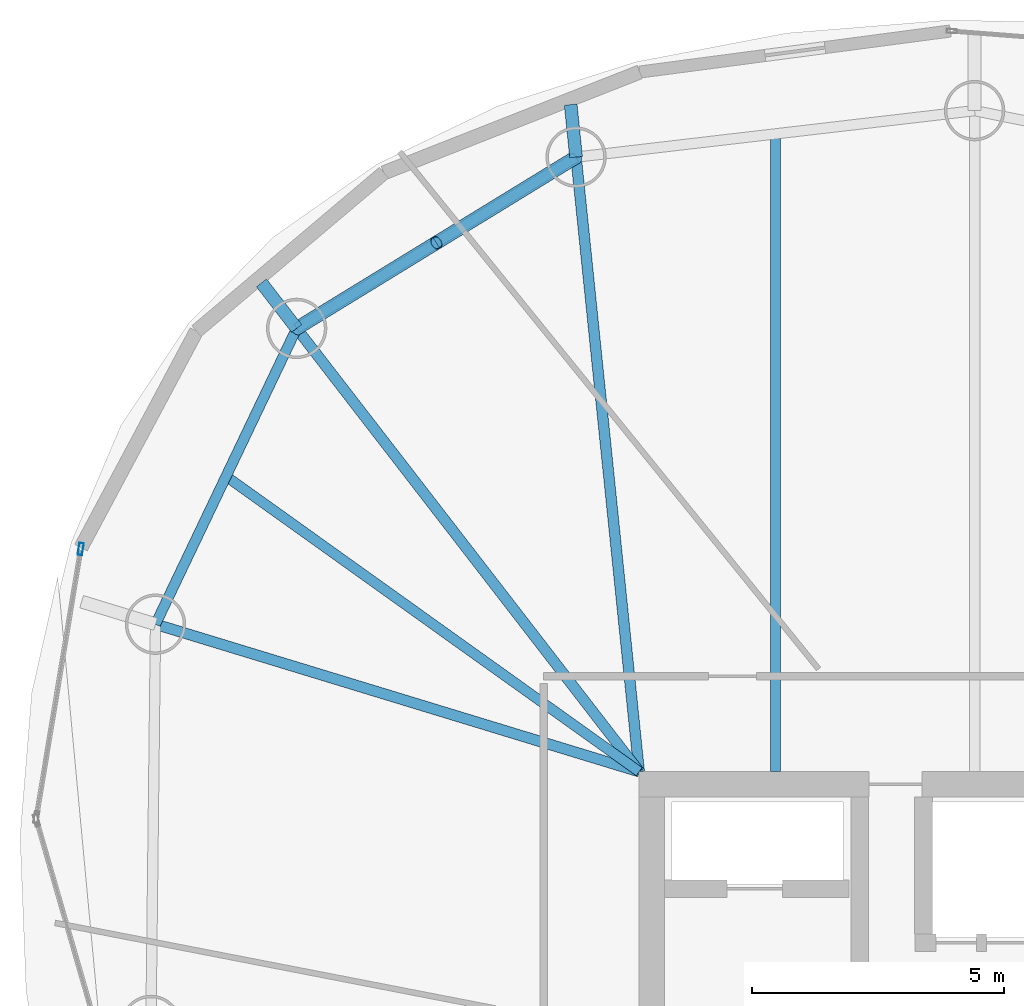
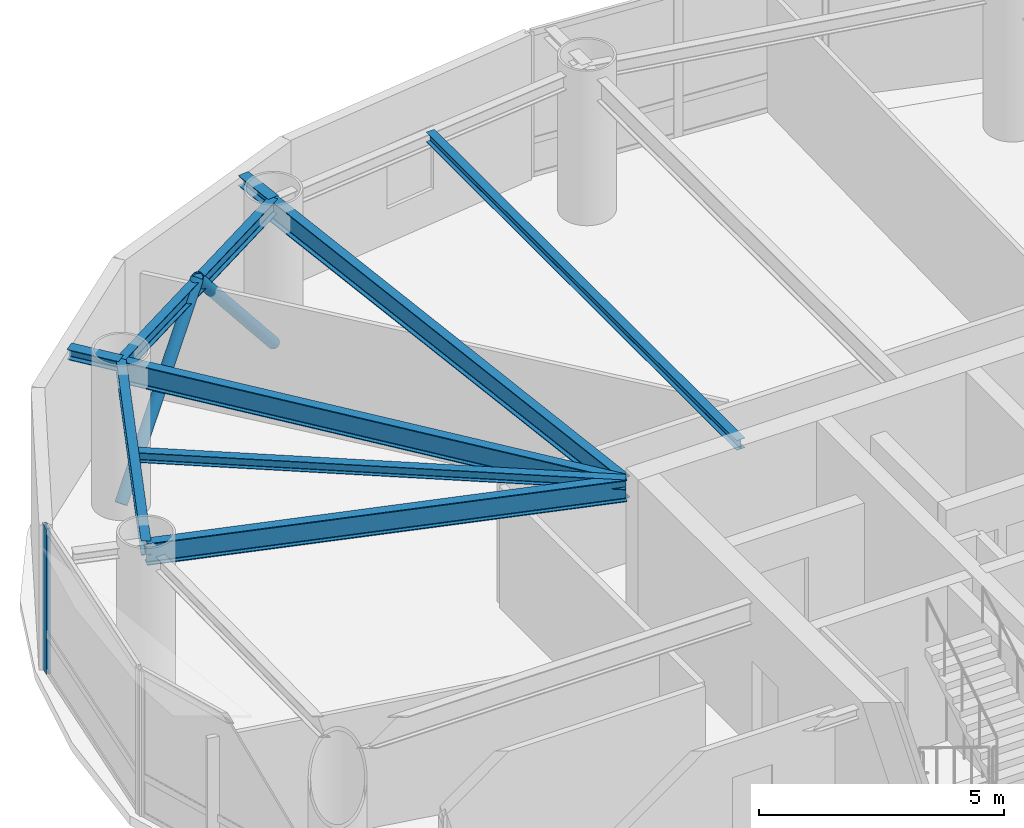
# One storey, part 11 of 21: 9 beams, 3 members, 1 element without a shape of its own.
"""IFC4 building model written with IfcOpenShell, lengths in metres."""

import ifcopenshell
import ifcopenshell.guid

model = None  # the IFC model being written
_history = None  # IfcOwnerHistory: only IFC2X3 demands one
_inside = {}  # id of a spatial element -> (the spatial element, [elements in it])
_under = {}  # id of a project, library or spatial element -> (it, [spatial elements below it])
_declared = {}  # id of a project -> (the project, [libraries it declares])
_typed = {}  # id of a type object -> (the type object, [elements of that type])
_made_of = {}  # id of a material, layer set ... -> (it, [elements and type objects made of it])


def new_model(schema):
    """Start an empty IFC model of exactly this schema.

    Asked for "IFC4X3", IfcOpenShell would pick the latest addendum, in which some entities
    have other attributes; the version numbers below select the first issue.
    IFC2X3 requires an IfcOwnerHistory on every rooted entity: one is made here for all.
    """
    global model, _history
    if schema == "IFC4X3":
        model = ifcopenshell.file(schema_version=(4, 3, 0, 0))
    else:
        model = ifcopenshell.file(schema=schema)
    _inside.clear()
    _under.clear()
    _declared.clear()
    _typed.clear()
    _made_of.clear()
    _history = None
    if model.schema == "IFC2X3":
        org = make("IfcOrganization", Name="unknown")
        user = make(
            "IfcPersonAndOrganization",
            ThePerson=make("IfcPerson", FamilyName="unknown"),
            TheOrganization=org,
        )
        app = make(
            "IfcApplication",
            ApplicationDeveloper=org,
            Version="unknown",
            ApplicationFullName="unknown",
            ApplicationIdentifier="unknown",
        )
        _history = make(
            "IfcOwnerHistory",
            OwningUser=user,
            OwningApplication=app,
            ChangeAction="ADDED",
            CreationDate=0,
        )
    return model


def make(cls, **values):
    """One entity of the class cls with the attributes given. An attribute that is None is left unset."""
    return model.create_entity(
        cls, **{name: value for name, value in values.items() if value is not None}
    )


def rooted(cls, **values):
    """An entity with a GlobalId (a new one), such as an element, a storey or a relation."""
    return make(cls, GlobalId=ifcopenshell.guid.new(), OwnerHistory=_history, **values)


def si_unit(unit_type, name, prefix=None):
    """IfcSIUnit, for example si_unit("LENGTHUNIT", "METRE", prefix="MILLI")."""
    return make("IfcSIUnit", UnitType=unit_type, Prefix=prefix, Name=name)


def assignment(units):
    """IfcUnitAssignment: the units of a project."""
    return None if units is None else make("IfcUnitAssignment", Units=units)


def point(xyz):
    """IfcCartesianPoint."""
    return None if xyz is None else make("IfcCartesianPoint", Coordinates=xyz)


def direction(xyz):
    """IfcDirection."""
    return None if xyz is None else make("IfcDirection", DirectionRatios=xyz)


def frame(location, z_axis=None, x_axis=None):
    """IfcAxis2Placement3D, a coordinate frame: its origin and axes. An axis left out is left unset."""
    return make(
        "IfcAxis2Placement3D",
        Location=point(location),
        Axis=direction(z_axis),
        RefDirection=direction(x_axis),
    )


def frame_2d(location, x_axis=None):
    """IfcAxis2Placement2D, a coordinate frame in the plane: its origin and x axis."""
    return make(
        "IfcAxis2Placement2D", Location=point(location), RefDirection=direction(x_axis)
    )


def origin():
    """The frame at (0, 0, 0) with its axes left unset."""
    return frame((0.0, 0.0, 0.0))


def origin_2d():
    """The frame at (0, 0) in the plane with its x axis left unset."""
    return frame_2d((0.0, 0.0))


def place(relative_to, where):
    """IfcLocalPlacement: puts the frame where relative to a parent placement (None: the world)."""
    return make(
        "IfcLocalPlacement", PlacementRelTo=relative_to, RelativePlacement=where
    )


def context(
    kind, dimensions, precision=None, world=None, true_north=None, identifier=None
):
    """IfcGeometricRepresentationContext, for example the 3D "Model" context."""
    return make(
        "IfcGeometricRepresentationContext",
        ContextIdentifier=identifier,
        ContextType=kind,
        CoordinateSpaceDimension=dimensions,
        Precision=precision,
        WorldCoordinateSystem=world,
        TrueNorth=true_north,
    )


def subcontext(parent, identifier, kind, view, scale=None):
    """IfcGeometricRepresentationSubContext, for example "Body" below "Model"."""
    return make(
        "IfcGeometricRepresentationSubContext",
        ContextIdentifier=identifier,
        ContextType=kind,
        ParentContext=parent,
        TargetScale=scale,
        TargetView=view,
    )


def project(units=None, contexts=None):
    """IfcProject with its units and contexts."""
    return rooted(
        "IfcProject",
        Name="project",
        RepresentationContexts=contexts,
        UnitsInContext=assignment(units),
    )


def spatial(cls, under=None, at=None, **own):
    """A site, building, storey or space (cls), placed at a placement, below another one or the project."""
    s = rooted(cls, ObjectPlacement=at, **own)
    if under is not None:
        _under.setdefault(under.id(), (under, []))[1].append(s)
    return s


def profile(cls, at=None, kind="AREA", **sizes):
    """A parametric profile (cls). Its sizes go by their IFC names, for example OverallWidth=200.0."""
    return make(cls, ProfileType=kind, Position=at, **sizes)


def hollow_rectangle(**sizes):
    """IfcRectangleHollowProfileDef."""
    return profile("IfcRectangleHollowProfileDef", **sizes)


def hollow_circle(**sizes):
    """IfcCircleHollowProfileDef."""
    return profile("IfcCircleHollowProfileDef", **sizes)


def i_section(**sizes):
    """IfcIShapeProfileDef."""
    return profile("IfcIShapeProfileDef", **sizes)


def extrude(swept, where, along, depth):
    """IfcExtrudedAreaSolid: the profile swept, set in the frame where, extruded along a direction by depth."""
    return make(
        "IfcExtrudedAreaSolid",
        SweptArea=swept,
        Position=where,
        ExtrudedDirection=direction(along),
        Depth=depth,
    )


def shape(context_of_items, identifier, shape_type, items):
    """IfcShapeRepresentation: the items that make up one representation, for example the "Body"."""
    return make(
        "IfcShapeRepresentation",
        ContextOfItems=context_of_items,
        RepresentationIdentifier=identifier,
        RepresentationType=shape_type,
        Items=items,
    )


def material(Name=None, Category=None):
    """IfcMaterial."""
    return make("IfcMaterial", Name=Name, Category=Category)


def layer(
    of_material, thickness, ventilated=None, Name=None, Category=None, Priority=None
):
    """IfcMaterialLayer: one layer of a wall or slab, of a material (None: an air gap)."""
    return make(
        "IfcMaterialLayer",
        Material=of_material,
        LayerThickness=thickness,
        IsVentilated=ventilated,
        Name=Name,
        Category=Category,
        Priority=Priority,
    )


def layer_set(layers, Name=None):
    """IfcMaterialLayerSet."""
    return make("IfcMaterialLayerSet", MaterialLayers=layers, LayerSetName=Name)


def material_profile(
    of_material, cross_section, Name=None, Category=None, Priority=None
):
    """IfcMaterialProfile: a cross section and its material."""
    return make(
        "IfcMaterialProfile",
        Name=Name,
        Material=of_material,
        Profile=cross_section,
        Priority=Priority,
        Category=Category,
    )


def profile_set(profiles, Name=None, composite=None):
    """IfcMaterialProfileSet."""
    return make(
        "IfcMaterialProfileSet",
        Name=Name,
        MaterialProfiles=profiles,
        CompositeProfile=composite,
    )


def made_of(thing, what):
    """Note that an element or type object is made of a material, layer set ...; save() writes the relation."""
    if what is not None:
        _made_of.setdefault(what.id(), (what, []))[1].append(thing)
    return thing


def type_object(cls, material=None, **own):
    """A type object (cls), such as IfcWallType, which elements share."""
    return made_of(rooted(cls, **own), material)


def element(
    cls,
    number,
    at=None,
    inside=None,
    cuts=None,
    type_object=None,
    material=None,
    context=None,
    identifier="Body",
    shape_type=None,
    held_by="IfcProductDefinitionShape",
    body=None,
    shapes=None,
    **own,
):
    """One element of the class cls, such as IfcWall. Its Tag is "e" and its number.

    at: its placement. inside: the storey or other place that contains it. cuts: it is an
    opening in that element (IfcRelVoidsElement). A single representation is given by context,
    identifier, shape_type and body (its items); several are given by shapes. held_by: the class
    of the entity that holds the representations. save() writes the other relations.
    """
    e = rooted(cls, Tag="e%d" % number, ObjectPlacement=at, **own)
    if body is not None:
        shapes = [shape(context, identifier, shape_type, body)]
    if shapes is not None:
        e.Representation = make(held_by, Representations=shapes)
    if inside is not None:
        _inside.setdefault(inside.id(), (inside, []))[1].append(e)
    if cuts is not None:
        rooted(
            "IfcRelVoidsElement", RelatingBuildingElement=cuts, RelatedOpeningElement=e
        )
    if type_object is not None:
        _typed.setdefault(type_object.id(), (type_object, []))[1].append(e)
    return made_of(e, material)


def aggregate(whole, parts):
    """IfcRelAggregates: a whole, such as a stair, and the parts it consists of."""
    return rooted("IfcRelAggregates", RelatingObject=whole, RelatedObjects=parts)


def save(model, path):
    """Write the relations noted so far, then the file.

    IfcRelAggregates (storeys below a building ...), IfcRelContainedInSpatialStructure (elements
    in a storey), IfcRelDefinesByType, IfcRelAssociatesMaterial and IfcRelDeclares: one each for
    every whole, place, type object, material and project.
    """
    for whole, parts in _under.values():
        aggregate(whole, parts)
    for where, things in _inside.values():
        rooted(
            "IfcRelContainedInSpatialStructure",
            RelatedElements=things,
            RelatingStructure=where,
        )
    for kind, things in _typed.values():
        rooted("IfcRelDefinesByType", RelatedObjects=things, RelatingType=kind)
    for what, things in _made_of.values():
        rooted("IfcRelAssociatesMaterial", RelatedObjects=things, RelatingMaterial=what)
    for by, libraries in _declared.values():
        rooted("IfcRelDeclares", RelatingContext=by, RelatedDefinitions=libraries)
    model.write(path)


model = new_model("IFC4")

# Units and contexts
model_context = context("Model", 3, precision=1e-05, world=origin(), true_north=direction((0.0, 1.0)))
body_context = subcontext(model_context, "Body", "Model", "MODEL_VIEW")
ifc_project = project(units=[si_unit("LENGTHUNIT", "METRE"), si_unit("AREAUNIT", "SQUARE_METRE"), si_unit("VOLUMEUNIT", "CUBIC_METRE"), si_unit("PLANEANGLEUNIT", "RADIAN"), si_unit("MASSUNIT", "GRAM", prefix="KILO")], contexts=[model_context])

# Site, building, storey
site_placement = place(None, origin())
site = spatial("IfcSite", under=ifc_project, at=site_placement, CompositionType="ELEMENT")
building_placement = place(site_placement, origin())
building = spatial("IfcBuilding", under=site, at=building_placement, Name="Bramvorn Convention Spire", CompositionType="ELEMENT")
storey_placement = place(building_placement, frame((0.0, 0.0, 186.60009765625)))
storey = spatial("IfcBuildingStorey", under=building, at=storey_placement, Name="L47", CompositionType="ELEMENT", Elevation=186.60009765625)

# Beams
ifc_material_1 = material(Name="Steel CSA G40.21 Grade 350 (350W)", Category="steel")
ifc_material_profile_1 = material_profile(ifc_material_1, i_section(OverallWidth=0.201904296875, OverallDepth=0.2470703125, WebThickness=0.00732421875, FlangeThickness=0.010986328125, FilletRadius=0.011962890625, at=origin_2d()))
ifc_profile_set_1 = profile_set([ifc_material_profile_1], Name="Steel CSA G40.21 Grade 350 (350W) - W250X49")
beam_type_1 = type_object("IfcBeamType", Name="BM-W250X49", PredefinedType="JOIST", material=ifc_profile_set_1)
beam_1_placement = place(storey_placement, frame((29.455810546875, 33.449951171875, 3.496337890625), z_axis=(0.0, 1.0, 0.0), x_axis=(-1.0, 0.0, 0.0)))
element("IfcBeam", 1, at=beam_1_placement, inside=storey, type_object=beam_type_1, Name="L47 composite floor joist 07", PredefinedType="JOIST", context=body_context, shape_type="SweptSolid", body=[
    extrude(i_section(OverallWidth=0.201904296875, OverallDepth=0.2470703125, WebThickness=0.00732421875, FlangeThickness=0.010986328125, FilletRadius=0.011962890625, at=origin_2d()), origin(), (0.0, 0.0, 1.0), 12.676025390625),
])
beam_2_placement = place(storey_placement, frame((26.75, 33.449951171875, 3.496337890625), z_axis=(-0.813471895271, 0.581604225916, 0.0), x_axis=(-0.581604225916, -0.813471895271, 0.0)))
element("IfcBeam", 2, at=beam_2_placement, inside=storey, type_object=beam_type_1, Name="L47 composite floor joist 09", PredefinedType="JOIST", context=body_context, shape_type="SweptSolid", body=[
    extrude(i_section(OverallWidth=0.201904296875, OverallDepth=0.2470703125, WebThickness=0.00732421875, FlangeThickness=0.010986328125, FilletRadius=0.011962890625, at=origin_2d()), origin(), (0.0, 0.0, 1.0), 10.093505859375),
])
ifc_material_profile_2 = material_profile(ifc_material_1, i_section(OverallWidth=0.25390625, OverallDepth=0.2529296875, WebThickness=0.008544921875, FlangeThickness=0.01416015625, FilletRadius=0.011962890625, at=origin_2d()))
ifc_profile_set_2 = profile_set([ifc_material_profile_2], Name="Steel CSA G40.21 Grade 350 (350W) - W250X73")
beam_type_2 = type_object("IfcBeamType", Name="BM-W250X73", PredefinedType="BEAM", material=ifc_profile_set_2)
beam_3_placement = place(storey_placement, frame((25.49560546875, 45.663818359375, 3.493408203125), z_axis=(-0.102406819068, 0.994742601585, 0.0), x_axis=(-0.994742601585, -0.102406819068, 0.0)))
element("IfcBeam", 3, at=beam_3_placement, inside=storey, type_object=beam_type_2, Name="L47 slab-edge cantilever tip beam MC08", PredefinedType="BEAM", context=body_context, shape_type="SweptSolid", body=[
    extrude(i_section(OverallWidth=0.25390625, OverallDepth=0.2529296875, WebThickness=0.008544921875, FlangeThickness=0.01416015625, FilletRadius=0.011962890625, at=origin_2d()), origin(), (0.0, 0.0, 1.0), 1.049072265625),
])
beam_4_placement = place(storey_placement, frame((19.941650390625, 42.260009765625, 3.493408203125), z_axis=(-0.611587275209, 0.791176974389, 0.0), x_axis=(-0.791176974389, -0.611587275209, 0.0)))
element("IfcBeam", 4, at=beam_4_placement, inside=storey, type_object=beam_type_2, Name="L47 slab-edge cantilever tip beam MC09", PredefinedType="BEAM", context=body_context, shape_type="SweptSolid", body=[
    extrude(i_section(OverallWidth=0.25390625, OverallDepth=0.2529296875, WebThickness=0.008544921875, FlangeThickness=0.01416015625, FilletRadius=0.011962890625, at=origin_2d()), origin(), (0.0, 0.0, 1.0), 1.143310546875),
])
ifc_material_profile_3 = material_profile(ifc_material_1, i_section(OverallWidth=0.205078125, OverallDepth=0.35400390625, WebThickness=0.009521484375, FlangeThickness=0.016845703125, FilletRadius=0.014892578125, at=origin_2d()))
ifc_profile_set_3 = profile_set([ifc_material_profile_3], Name="Steel CSA G40.21 Grade 350 (350W) - W360X79")
beam_type_3 = type_object("IfcBeamType", Name="BM-W360X79", PredefinedType="JOIST", material=ifc_profile_set_3)
beam_5_placement = place(storey_placement, frame((25.49560546875, 45.663818359375, 3.44287109375), z_axis=(-0.852616873135, -0.522536570629, 0.0), x_axis=(0.522536570629, -0.852616873135, 0.0)))
element("IfcBeam", 5, at=beam_5_placement, inside=storey, type_object=beam_type_3, Name="L47 mega-column ring beam 08", PredefinedType="JOIST", context=body_context, shape_type="SweptSolid", body=[
    extrude(i_section(OverallWidth=0.205078125, OverallDepth=0.35400390625, WebThickness=0.009521484375, FlangeThickness=0.016845703125, FilletRadius=0.014892578125, at=origin_2d()), origin(), (0.0, 0.0, 1.0), 6.513916015625),
])
beam_6_placement = place(storey_placement, frame((19.941650390625, 42.260009765625, 3.44287109375), z_axis=(-0.430556138422, -0.902563799223, 0.0), x_axis=(0.902563799223, -0.430556138422, 0.0)))
element("IfcBeam", 6, at=beam_6_placement, inside=storey, type_object=beam_type_3, Name="L47 mega-column ring beam 09", PredefinedType="JOIST", context=body_context, shape_type="SweptSolid", body=[
    extrude(i_section(OverallWidth=0.205078125, OverallDepth=0.35400390625, WebThickness=0.009521484375, FlangeThickness=0.016845703125, FilletRadius=0.014892578125, at=origin_2d()), origin(), (0.0, 0.0, 1.0), 6.51416015625),
])
ifc_material_profile_4 = material_profile(ifc_material_1, i_section(OverallWidth=0.2119140625, OverallDepth=0.5439453125, WebThickness=0.01318359375, FlangeThickness=0.021240234375, FilletRadius=0.01904296875, at=origin_2d()))
ifc_profile_set_4 = profile_set([ifc_material_profile_4], Name="Steel CSA G40.21 Grade 350 (350W) - W530X123")
beam_type_4 = type_object("IfcBeamType", Name="BM-W530X123", PredefinedType="BEAM", material=ifc_profile_set_4)
beam_7_placement = place(storey_placement, frame((26.75, 33.449951171875, 3.347900390625), z_axis=(-0.10216509146, 0.994767457292, 0.0), x_axis=(-0.994767457292, -0.10216509146, 0.0)))
element("IfcBeam", 7, at=beam_7_placement, inside=storey, type_object=beam_type_4, Name="L47 radial floor girder MC08", PredefinedType="BEAM", context=body_context, shape_type="SweptSolid", body=[
    extrude(i_section(OverallWidth=0.2119140625, OverallDepth=0.5439453125, WebThickness=0.01318359375, FlangeThickness=0.021240234375, FilletRadius=0.01904296875, at=origin_2d()), origin(), (0.0, 0.0, 1.0), 12.278076171875),
])
beam_8_placement = place(storey_placement, frame((26.75, 33.449951171875, 3.347900390625), z_axis=(-0.611479951477, 0.791259925019, 0.0), x_axis=(-0.791259925019, -0.611479951477, 0.0)))
element("IfcBeam", 8, at=beam_8_placement, inside=storey, type_object=beam_type_4, Name="L47 radial floor girder MC09", PredefinedType="BEAM", context=body_context, shape_type="SweptSolid", body=[
    extrude(i_section(OverallWidth=0.2119140625, OverallDepth=0.5439453125, WebThickness=0.01318359375, FlangeThickness=0.021240234375, FilletRadius=0.01904296875, at=origin_2d()), origin(), (0.0, 0.0, 1.0), 11.13427734375),
])
beam_9_placement = place(storey_placement, frame((26.75, 33.449951171875, 3.347900390625), z_axis=(-0.95653637984, 0.291613021044, 0.0), x_axis=(-0.291613021044, -0.95653637984, 0.0)))
element("IfcBeam", 9, at=beam_9_placement, inside=storey, type_object=beam_type_4, Name="L47 radial floor girder MC10", PredefinedType="BEAM", context=body_context, shape_type="SweptSolid", body=[
    extrude(i_section(OverallWidth=0.2119140625, OverallDepth=0.5439453125, WebThickness=0.01318359375, FlangeThickness=0.021240234375, FilletRadius=0.01904296875, at=origin_2d()), origin(), (0.0, 0.0, 1.0), 10.0498046875),
])

# Curtain wall, member
ifc_material_2 = material(Name="Anodised Bronze Unitised Curtain Wall", Category="aluminium")
ifc_layer = layer(ifc_material_2, 0.219970703125)
ifc_layer_set = layer_set([ifc_layer], Name="Anodised Bronze Unitised Curtain Wall - CW-SKYGARDEN")
curtain_wall_type = type_object("IfcCurtainWallType", Name="CW-SKYGARDEN", PredefinedType="USERDEFINED", material=ifc_layer_set)
curtain_wall_placement = place(storey_placement, origin())
curtain_wall = element("IfcCurtainWall", 10, at=curtain_wall_placement, inside=storey, type_object=curtain_wall_type, Name="L47 Sky Garden glazed facade 14", ObjectType="WINTER GARDEN GLAZING", PredefinedType="USERDEFINED")
ifc_material_3 = material(Name="Anodised Bronze Aluminium 6063-T6", Category="aluminium")
ifc_material_profile_5 = material_profile(ifc_material_3, hollow_rectangle(XDim=0.090087890625, YDim=0.239990234375, WallThickness=0.00439453125, InnerFilletRadius=0.0009765625, OuterFilletRadius=0.00439453125, at=origin_2d()))
ifc_profile_set_5 = profile_set([ifc_material_profile_5], Name="Anodised Bronze Aluminium 6063-T6 - CWM90X240")
member_type_1 = type_object("IfcMemberType", Name="CW-MUL-220", PredefinedType="MULLION", material=ifc_profile_set_5)
member_1_placement = place(storey_placement, frame((15.650634765625, 37.87451171875, 0.0), z_axis=(0.0, 0.0, 1.0), x_axis=(-0.986584171188, 0.163253401683, 0.0)))
member_1 = element("IfcMember", 11, at=member_1_placement, type_object=member_type_1, Name="CW4 mullion 2", PredefinedType="MULLION", context=body_context, shape_type="SweptSolid", body=[
    extrude(hollow_rectangle(XDim=0.090087890625, YDim=0.239990234375, WallThickness=0.00439453125, InnerFilletRadius=0.0009765625, OuterFilletRadius=0.00439453125, at=origin_2d()), origin(), (0.0, 0.0, 1.0), 3.619873046875),
])
aggregate(curtain_wall, [member_1])

# Members
ifc_material_profile_6 = material_profile(ifc_material_1, hollow_circle(Radius=0.136474609375, WallThickness=0.0126953125, at=origin_2d()))
ifc_profile_set_6 = profile_set([ifc_material_profile_6], Name="Steel CSA G40.21 Grade 350 (350W) - CHS273X13")
member_type_2 = type_object("IfcMemberType", Name="MBR-CHS273X13", PredefinedType="BRACE", material=ifc_profile_set_6)
member_2_placement = place(storey_placement, frame((25.49560546875, 45.663818359375, 0.0), z_axis=(-0.570302340607, -0.349501328912, 0.743373433334), x_axis=(0.522519873149, -0.852627106163, 0.0)))
element("IfcMember", 12, at=member_2_placement, inside=storey, type_object=member_type_2, Name="L47 perimeter Gothic lancet brace 8A", PredefinedType="BRACE", context=body_context, shape_type="SweptSolid", body=[
    extrude(hollow_circle(Radius=0.136474609375, WallThickness=0.0126953125, at=origin_2d()), origin(), (0.0, 0.0, 1.0), 4.86962890625),
])
member_3_placement = place(storey_placement, frame((19.941650390625, 42.260009765625, 0.0), z_axis=(0.57026850931, 0.349511322174, 0.743394688548), x_axis=(-0.522553268977, 0.852606639126, 0.0)))
element("IfcMember", 13, at=member_3_placement, inside=storey, type_object=member_type_2, Name="L47 perimeter Gothic lancet brace 8B", PredefinedType="BRACE", context=body_context, shape_type="SweptSolid", body=[
    extrude(hollow_circle(Radius=0.136474609375, WallThickness=0.0126953125, at=origin_2d()), origin(), (0.0, 0.0, 1.0), 4.869384765625),
])

save(model, "model.ifc")
